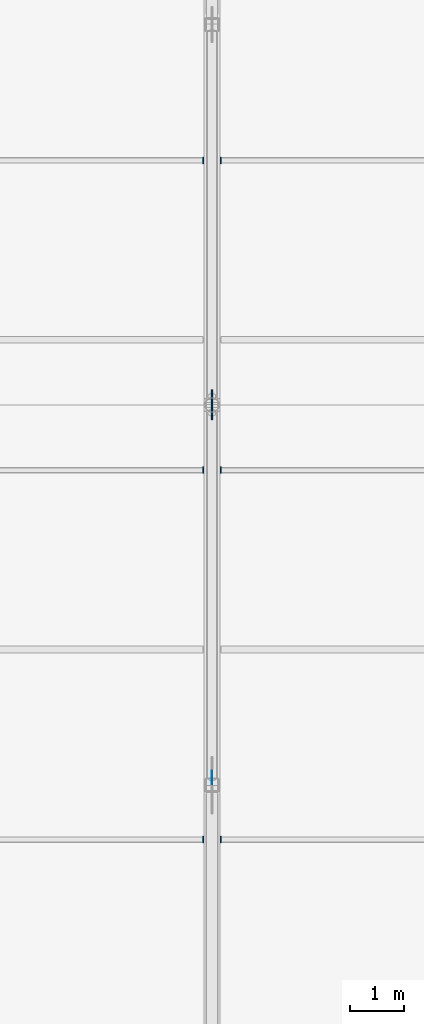
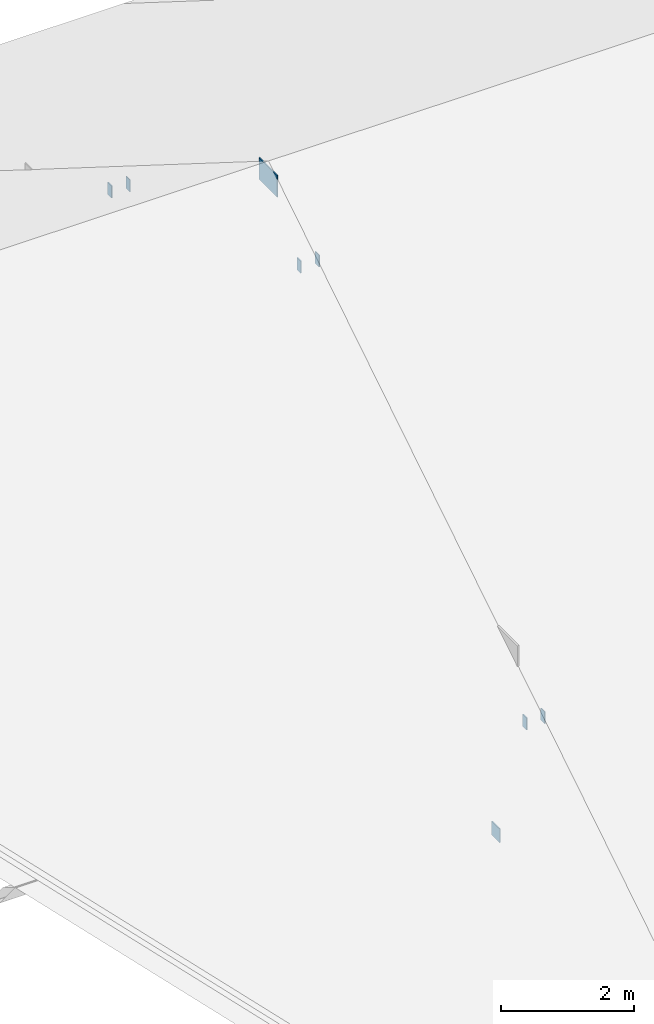
# One storey, part 37 of 66: 8 plates.
"""IFC4 building model written with IfcOpenShell, lengths in metres."""

from ifc_helpers import new_model, si_unit, direction, frame, origin, origin_2d, place, context, subcontext, project, spatial, rectangle, extrude, material, layer, layer_set, type_object, element, save


model = new_model("IFC4")

# Units and contexts
model_context = context("Model", 3, precision=1e-05, world=origin(), true_north=direction((0.0, 1.0)))
body_context = subcontext(model_context, "Body", "Model", "MODEL_VIEW")
ifc_project = project(units=[si_unit("LENGTHUNIT", "METRE"), si_unit("AREAUNIT", "SQUARE_METRE"), si_unit("VOLUMEUNIT", "CUBIC_METRE"), si_unit("PLANEANGLEUNIT", "RADIAN"), si_unit("MASSUNIT", "GRAM", prefix="KILO")], contexts=[model_context])

# Site, building, storey
site_placement = place(None, origin())
site = spatial("IfcSite", under=ifc_project, at=site_placement, CompositionType="ELEMENT")
building_placement = place(site_placement, origin())
building = spatial("IfcBuilding", under=site, at=building_placement, Name="Yeouljin Market Hall", CompositionType="ELEMENT")
storey_placement = place(building_placement, frame((0.0, 0.0, 23.39990234375)))
storey = spatial("IfcBuildingStorey", under=building, at=storey_placement, Name="RF", CompositionType="ELEMENT", Elevation=23.39990234375)

# Plates
ifc_material_1 = material(Name="Steel SM355", Category="steel")
ifc_layer_1 = layer(ifc_material_1, 0.01611328125)
ifc_layer_set_1 = layer_set([ifc_layer_1], Name="Steel SM355")
plate_type_1 = type_object("IfcPlateType", Name="CapPlate_220x120x16", PredefinedType="SHEET", material=ifc_layer_set_1)
for number, where, z_axis, x_axis, name in (
    (1, (54.44189453125, 49.0, -4.318359375), (0.0, 0.0, 1.0), (0.0, 1.0, 0.0), "Purlin end-cap plate 0088"),
    (2, (54.44189453125, 55.800048828125, -0.0439453125), (0.0, 0.0, 1.0), (0.0, 1.0, 0.0), "Purlin end-cap plate 0090"),
    (3, (54.44189453125, 61.5, -2.11865234375), (0.0, 0.0, 1.0), (0.0, 1.0, 0.0), "Purlin end-cap plate 0092"),
    (4, (54.758056640625, 49.0, -4.318359375), (0.0, 0.0, 1.0), (0.0, 1.0, 0.0), "Purlin end-cap plate 0099"),
    (5, (54.758056640625, 55.800048828125, -0.0439453125), (0.0, 0.0, 1.0), (0.0, 1.0, 0.0), "Purlin end-cap plate 0101"),
    (6, (54.758056640625, 61.5, -2.11865234375), (0.0, 0.0, 1.0), (0.0, 1.0, 0.0), "Purlin end-cap plate 0103"),
):
    element("IfcPlate", number, at=place(storey_placement, frame(where, z_axis=z_axis, x_axis=x_axis)), inside=storey, type_object=plate_type_1, Name=name, PredefinedType="SHEET", context=body_context, shape_type="SweptSolid", body=[
        extrude(rectangle(XDim=0.1201171875, YDim=0.01611328125, at=origin_2d()), origin(), (0.0, 0.0, 1.0), 0.219970703125),
    ])
ifc_material_2 = material(Name="Steel SM355", Category="steel")
ifc_layer_2 = layer(ifc_material_2, 0.01611328125)
ifc_layer_set_2 = layer_set([ifc_layer_2], Name="Steel SM355")
plate_type_2 = type_object("IfcPlateType", Name="CapPlate_250x250x16", PredefinedType="SHEET", material=ifc_layer_set_2)
plate_1_placement = place(storey_placement, frame((54.60009765625, 50.144287109375, -7.103271484375), z_axis=(0.0, 0.0, 1.0), x_axis=(0.0, 1.0, 0.0)))
element("IfcPlate", 7, at=plate_1_placement, inside=storey, type_object=plate_type_2, Name="Hollow web end-cap plate 0010", PredefinedType="SHEET", context=body_context, shape_type="SweptSolid", body=[
    extrude(rectangle(XDim=0.25, YDim=0.01611328125, at=origin_2d()), origin(), (0.0, 0.0, 1.0), 0.25),
])
ifc_material_3 = material(Name="Steel SM355", Category="steel")
ifc_layer_3 = layer(ifc_material_3, 0.02001953125)
ifc_layer_set_3 = layer_set([ifc_layer_3], Name="Steel SM355")
plate_type_3 = type_object("IfcPlateType", Name="GussetPlate_550x400x20", PredefinedType="USERDEFINED", material=ifc_layer_set_3)
plate_2_placement = place(storey_placement, frame((54.60009765625, 57.0, 0.7001953125), z_axis=(0.0, 0.0, 1.0), x_axis=(0.0, 1.0, 0.0)))
element("IfcPlate", 8, at=plate_2_placement, inside=storey, type_object=plate_type_3, Name="Truss node gusset plate 013", ObjectType="GUSSET PLATE", PredefinedType="USERDEFINED", context=body_context, shape_type="SweptSolid", body=[
    extrude(rectangle(XDim=0.550048828125, YDim=0.02001953125, at=origin_2d()), origin(), (0.0, 0.0, 1.0), 0.39990234375),
])

save(model, "model.ifc")
